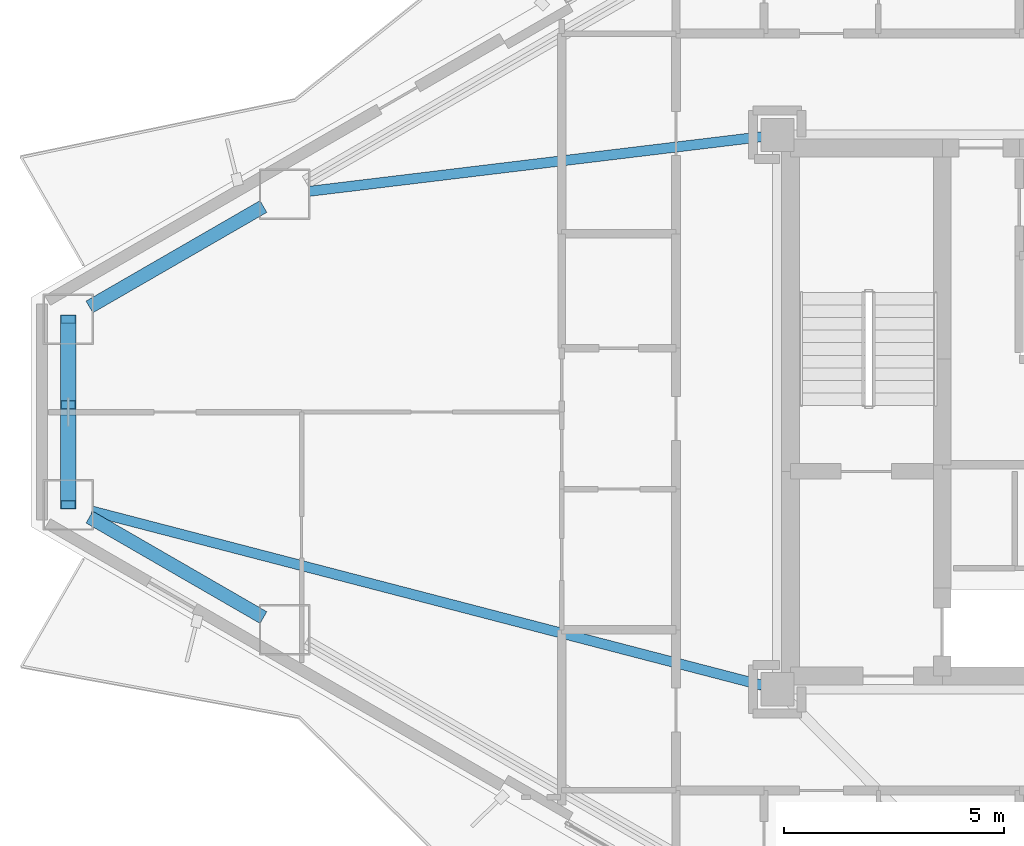
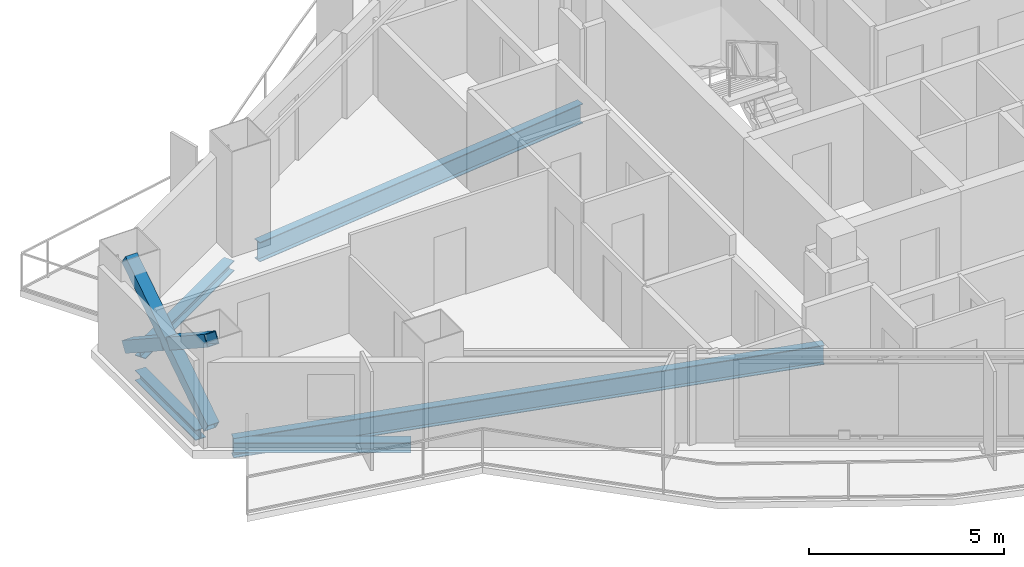
# One storey, part 5 of 23: 5 beams, 3 members.
"""IFC4 building model written with IfcOpenShell, lengths in metres."""

from ifc_helpers import new_model, si_unit, direction, frame, origin, origin_2d, place, context, subcontext, project, spatial, hollow_rectangle, i_section, extrude, material, material_profile, profile_set, type_object, element, save


model = new_model("IFC4")

# Units and contexts
model_context = context("Model", 3, precision=1e-05, world=origin(), true_north=direction((0.0, 1.0)))
body_context = subcontext(model_context, "Body", "Model", "MODEL_VIEW")
ifc_project = project(units=[si_unit("LENGTHUNIT", "METRE"), si_unit("AREAUNIT", "SQUARE_METRE"), si_unit("VOLUMEUNIT", "CUBIC_METRE"), si_unit("PLANEANGLEUNIT", "RADIAN"), si_unit("MASSUNIT", "GRAM", prefix="KILO")], contexts=[model_context])

# Site, building, storey
site_placement = place(None, origin())
site = spatial("IfcSite", under=ifc_project, at=site_placement, CompositionType="ELEMENT")
building_placement = place(site_placement, origin())
building = spatial("IfcBuilding", under=site, at=building_placement, Name="Mersakhor Tower and Convention Hall", CompositionType="ELEMENT")
storey_placement = place(building_placement, frame((0.0, 0.0, 96.60009765625)))
storey = spatial("IfcBuildingStorey", under=building, at=storey_placement, Name="L26", CompositionType="ELEMENT", Elevation=96.60009765625)

# Beams
ifc_material_1 = material(Name="Steel S355", Category="steel")
ifc_material_profile_1 = material_profile(ifc_material_1, i_section(OverallWidth=0.22900390625, OverallDepth=0.6123046875, WebThickness=0.011962890625, FlangeThickness=0.01953125, at=origin_2d()), Name="UB 610x229x125")
ifc_profile_set_1 = profile_set([ifc_material_profile_1], Name="Steel S355")
beam_type_1 = type_object("IfcBeamType", Name="BM-PR-610", PredefinedType="BEAM", material=ifc_profile_set_1)
beam_1_placement = place(storey_placement, frame((21.547607421875, 33.007568359375, -0.55615234375), z_axis=(-0.992798075666, -0.119799753563, 0.0), x_axis=(0.119799753563, -0.992798075666, 0.0)))
element("IfcBeam", 1, at=beam_1_placement, inside=storey, type_object=beam_type_1, Name="L26 Primary Floor Girder FG-1", PredefinedType="BEAM", context=body_context, shape_type="SweptSolid", body=[
    extrude(i_section(OverallWidth=0.22900390625, OverallDepth=0.6123046875, WebThickness=0.011962890625, FlangeThickness=0.01953125, at=origin_2d()), origin(), (0.0, 0.0, 1.0), 10.368896484375),
])
beam_2_placement = place(storey_placement, frame((21.556396484375, 20.539306640625, -0.55615234375), z_axis=(-0.967826964314, 0.251616706812, 0.0), x_axis=(-0.251616706812, -0.967826964314, 0.0)))
element("IfcBeam", 2, at=beam_2_placement, inside=storey, type_object=beam_type_1, Name="L26 Primary Floor Girder FG-6", PredefinedType="BEAM", context=body_context, shape_type="SweptSolid", body=[
    extrude(i_section(OverallWidth=0.22900390625, OverallDepth=0.6123046875, WebThickness=0.011962890625, FlangeThickness=0.01953125, at=origin_2d()), origin(), (0.0, 0.0, 1.0), 15.739013671875),
])
ifc_material_2 = material(Name="Steel S355", Category="steel")
ifc_material_profile_2 = material_profile(ifc_material_2, i_section(OverallWidth=0.30908203125, OverallDepth=0.320556640625, WebThickness=0.013916015625, FlangeThickness=0.021728515625, at=origin_2d()), Name="UC 305x305x137")
ifc_profile_set_2 = profile_set([ifc_material_profile_2], Name="Steel S355")
beam_type_2 = type_object("IfcBeamType", Name="BM-SPD-UC305", PredefinedType="SPANDREL", material=ifc_profile_set_2)
for number, where, z_axis, x_axis, name in (
    (3, (6.267333984375, 29.13818359375, -0.410400390625), (0.866023543838, 0.500003221507, 0.0), (-0.500003221507, 0.866023543838, 0.0), "L26 Perimeter Spandrel Beam SPB-01"),
    (4, (10.221923828125, 22.07861328125, -0.410400390625), (-0.866023543838, 0.500003221507, 0.0), (-0.500003221507, -0.866023543838, 0.0), "L26 Perimeter Spandrel Beam SPB-11"),
):
    element("IfcBeam", number, at=place(storey_placement, frame(where, z_axis=z_axis, x_axis=x_axis)), inside=storey, type_object=beam_type_2, Name=name, PredefinedType="SPANDREL", context=body_context, shape_type="SweptSolid", body=[
        extrude(i_section(OverallWidth=0.30908203125, OverallDepth=0.320556640625, WebThickness=0.013916015625, FlangeThickness=0.021728515625, at=origin_2d()), origin(), (0.0, 0.0, 1.0), 4.56640625),
    ])
beam_3_placement = place(storey_placement, frame((5.78662109375, 25.194091796875, -0.410400390625), z_axis=(0.0, 1.0, 0.0), x_axis=(-1.0, 0.0, 0.0)))
element("IfcBeam", 5, at=beam_3_placement, inside=storey, type_object=beam_type_2, Name="L26 Perimeter Spandrel Beam SPB-12", PredefinedType="SPANDREL", context=body_context, shape_type="SweptSolid", body=[
    extrude(i_section(OverallWidth=0.30908203125, OverallDepth=0.320556640625, WebThickness=0.013916015625, FlangeThickness=0.021728515625, at=origin_2d()), origin(), (0.0, 0.0, 1.0), 3.11181640625),
])

# Members
ifc_material_3 = material(Name="Steel S460", Category="steel")
ifc_material_profile_3 = material_profile(ifc_material_3, hollow_rectangle(XDim=0.35009765625, YDim=0.35009765625, WallThickness=0.02001953125, at=origin_2d()), Name="SHS 350x350x20")
ifc_profile_set_3 = profile_set([ifc_material_profile_3], Name="Steel S460")
member_type = type_object("IfcMemberType", Name="MB-BRC-SHS350", PredefinedType="BRACE", material=ifc_profile_set_3)
member_placement = place(storey_placement, frame((5.78662109375, 24.63916015625, 0.14990234375), z_axis=(0.0, 0.837907380789, 0.54581244143), x_axis=(-1.0, 0.0, 0.0)))
element("IfcMember", 6, at=member_placement, inside=storey, type_object=member_type, Name="L26 Chamfer Braced Frame Diagonal CB-3A", PredefinedType="BRACE", context=body_context, shape_type="SweptSolid", body=[
    extrude(hollow_rectangle(XDim=0.35009765625, YDim=0.35009765625, WallThickness=0.02001953125, at=origin_2d()), origin(), (0.0, 0.0, 1.0), 5.038330078125),
])
for number, where, z_axis, x_axis, name in (
    (7, (5.78662109375, 28.86083984375, 0.14990234375), (0.0, -0.837928690032, 0.545779727016), (1.0, 0.0, 0.0), "L26 Chamfer Braced Frame Diagonal CB-3B Lower Half"),
    (8, (5.78662109375, 26.5830078125, 1.6337890625), (0.0, -0.837928690032, 0.545779727016), (1.0, 0.0, 0.0), "L26 Chamfer Braced Frame Diagonal CB-3B Upper Half"),
):
    element("IfcMember", number, at=place(storey_placement, frame(where, z_axis=z_axis, x_axis=x_axis)), inside=storey, type_object=member_type, Name=name, PredefinedType="BRACE", context=body_context, shape_type="SweptSolid", body=[
        extrude(hollow_rectangle(XDim=0.35009765625, YDim=0.35009765625, WallThickness=0.02001953125, at=origin_2d()), origin(), (0.0, 0.0, 1.0), 2.31982421875),
    ])

save(model, "model.ifc")
